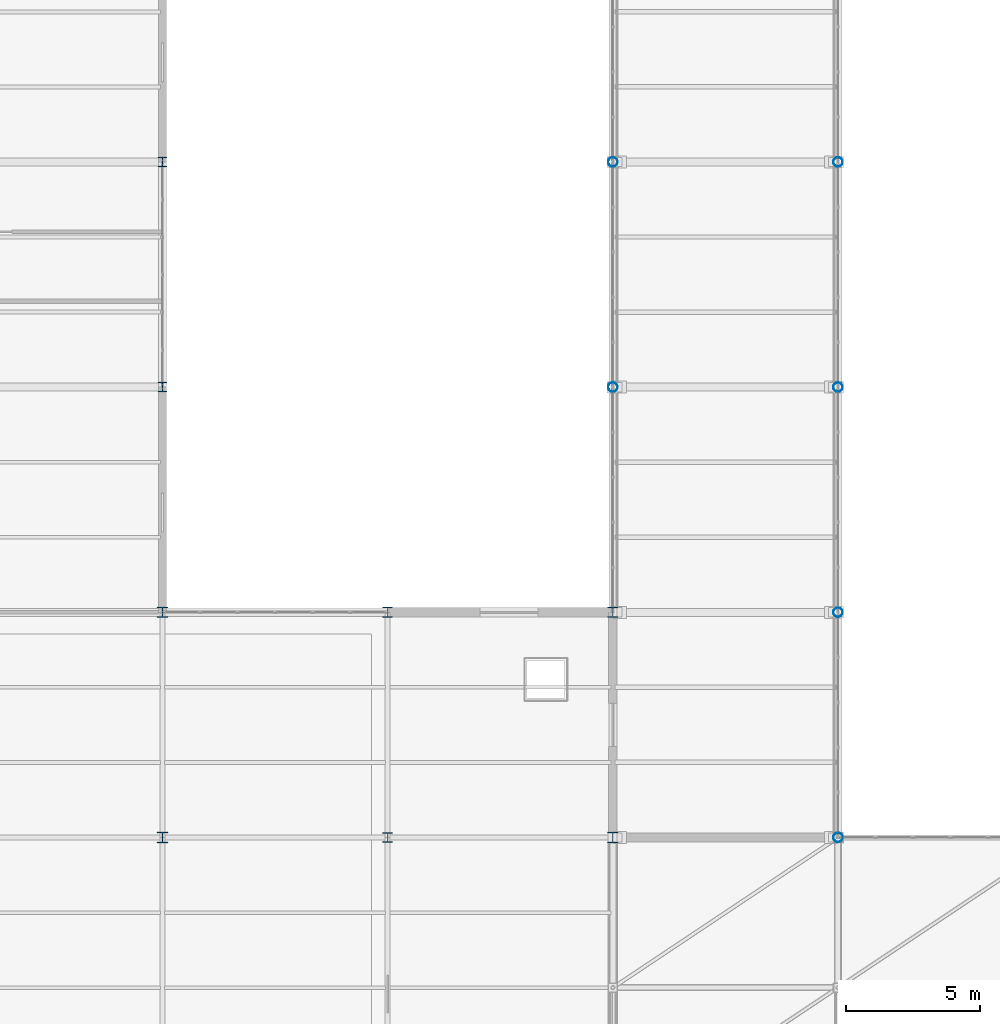
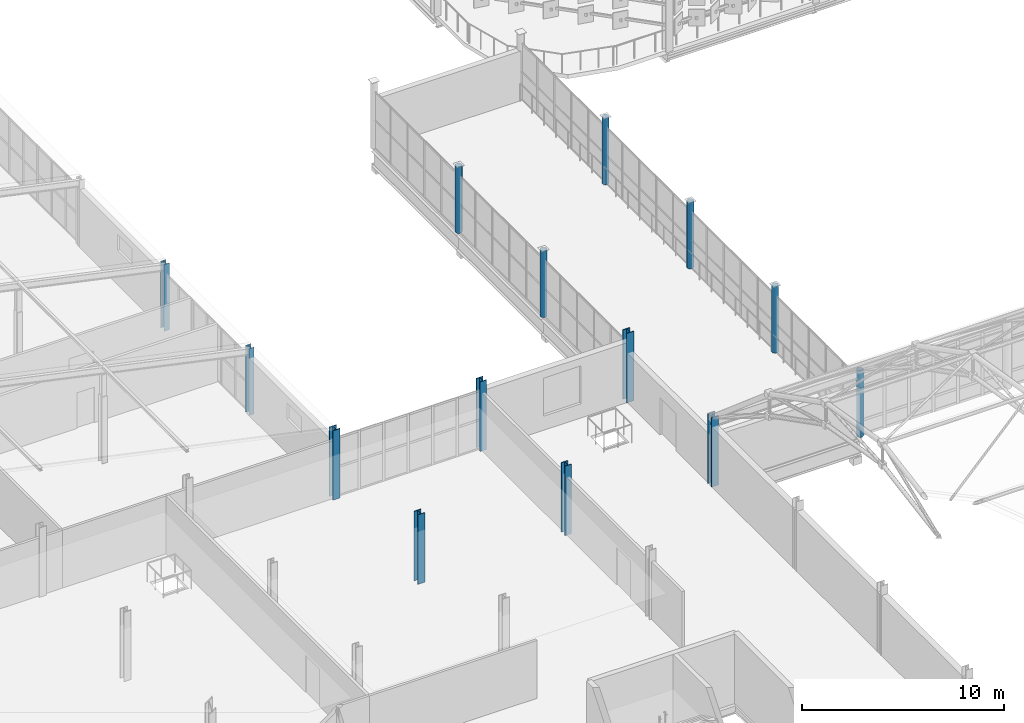
# One storey, part 4 of 184: 14 columns.
"""IFC4 building model written with IfcOpenShell, lengths in metres."""

from ifc_helpers import new_model, si_unit, direction, frame, origin, origin_2d, place, context, subcontext, project, spatial, hollow_circle, i_section, extrude, material, material_profile, profile_set, type_object, element, save


model = new_model("IFC4")

# Units and contexts
model_context = context("Model", 3, precision=1e-05, world=origin(), true_north=direction((0.0, 1.0)))
body_context = subcontext(model_context, "Body", "Model", "MODEL_VIEW")
ifc_project = project(units=[si_unit("LENGTHUNIT", "METRE"), si_unit("AREAUNIT", "SQUARE_METRE"), si_unit("VOLUMEUNIT", "CUBIC_METRE"), si_unit("PLANEANGLEUNIT", "RADIAN"), si_unit("MASSUNIT", "GRAM", prefix="KILO")], contexts=[model_context])

# Site, building, storey
site_placement = place(None, origin())
site = spatial("IfcSite", under=ifc_project, at=site_placement, CompositionType="ELEMENT")
building_placement = place(site_placement, origin())
building = spatial("IfcBuilding", under=site, at=building_placement, Name="Qalvenar Corner Mobility Hub", CompositionType="ELEMENT")
storey_placement = place(building_placement, frame((0.0, 0.0, 9.0)))
storey = spatial("IfcBuildingStorey", under=building, at=storey_placement, Name="L02", CompositionType="ELEMENT", Elevation=9.0)

# Columns
ifc_material = material(Name="Steel S355", Category="steel")
ifc_material_profile_1 = material_profile(ifc_material, hollow_circle(Radius=0.177734375, WallThickness=0.010009765625, at=origin_2d()), Name="CHS355.6x10")
ifc_profile_set_1 = profile_set([ifc_material_profile_1], Name="Steel S355")
column_type_1 = type_object("IfcColumnType", Name="COL-CHS355", PredefinedType="COLUMN", material=ifc_profile_set_1)
for number, where, z_axis, x_axis, name in (
    (1, (50.39990234375, 50.39990234375, 0.0), (0.0, 0.0, 1.0), (1.0, 0.0, 0.0), "Steel Column L02-G7-6"),
    (2, (50.39990234375, 58.800048828125, 0.0), (0.0, 0.0, 1.0), (1.0, 0.0, 0.0), "Steel Column L02-G7-7"),
    (3, (58.800048828125, 33.60009765625, 0.0), (0.0, 0.0, 1.0), (1.0, 0.0, 0.0), "Steel Column L02-G8-4"),
    (4, (58.800048828125, 42.0, 0.0), (0.0, 0.0, 1.0), (1.0, 0.0, 0.0), "Steel Column L02-G8-5"),
    (5, (58.800048828125, 50.39990234375, 0.0), (0.0, 0.0, 1.0), (1.0, 0.0, 0.0), "Steel Column L02-G8-6"),
    (6, (58.800048828125, 58.800048828125, 0.0), (0.0, 0.0, 1.0), (1.0, 0.0, 0.0), "Steel Column L02-G8-7"),
):
    element("IfcColumn", number, at=place(storey_placement, frame(where, z_axis=z_axis, x_axis=x_axis)), inside=storey, type_object=column_type_1, Name=name, PredefinedType="COLUMN", context=body_context, shape_type="SweptSolid", body=[
        extrude(hollow_circle(Radius=0.177734375, WallThickness=0.010009765625, at=origin_2d()), origin(), (0.0, 0.0, 1.0), 4.030029296875),
    ])
ifc_material_profile_2 = material_profile(ifc_material, i_section(OverallWidth=0.376953125, OverallDepth=0.386962890625, WebThickness=0.0224609375, FlangeThickness=0.035888671875, FilletRadius=0.014892578125, at=origin_2d()), Name="HD360x262")
ifc_profile_set_2 = profile_set([ifc_material_profile_2], Name="Steel S355")
column_type_2 = type_object("IfcColumnType", Name="COL-HD360X262", PredefinedType="COLUMN", material=ifc_profile_set_2)
for number, where, z_axis, x_axis, name in (
    (7, (42.0, 33.60009765625, 0.0), (0.0, 0.0, 1.0), (1.0, 0.0, 0.0), "Steel Column L02-G6-4"),
    (8, (42.0, 42.0, 0.0), (0.0, 0.0, 1.0), (1.0, 0.0, 0.0), "Steel Column L02-G6-5"),
):
    element("IfcColumn", number, at=place(storey_placement, frame(where, z_axis=z_axis, x_axis=x_axis)), inside=storey, type_object=column_type_2, Name=name, PredefinedType="COLUMN", context=body_context, shape_type="SweptSolid", body=[
        extrude(i_section(OverallWidth=0.376953125, OverallDepth=0.386962890625, WebThickness=0.0224609375, FlangeThickness=0.035888671875, FilletRadius=0.014892578125, at=origin_2d()), origin(), (0.0, 0.0, 1.0), 4.199951171875),
    ])
ifc_material_profile_3 = material_profile(ifc_material, i_section(OverallWidth=0.40087890625, OverallDepth=0.39892578125, WebThickness=0.02490234375, FlangeThickness=0.03955078125, FilletRadius=0.014892578125, at=origin_2d()), Name="HD400x314")
ifc_profile_set_3 = profile_set([ifc_material_profile_3], Name="Steel S355")
column_type_3 = type_object("IfcColumnType", Name="COL-HD400X314", PredefinedType="COLUMN", material=ifc_profile_set_3)
for number, where, z_axis, x_axis, name in (
    (9, (33.60009765625, 33.60009765625, 0.0), (0.0, 0.0, 1.0), (1.0, 0.0, 0.0), "Steel Column L02-G5-4"),
    (10, (33.60009765625, 42.0, 0.0), (0.0, 0.0, 1.0), (1.0, 0.0, 0.0), "Steel Column L02-G5-5"),
    (11, (50.39990234375, 33.60009765625, 0.0), (0.0, 0.0, 1.0), (1.0, 0.0, 0.0), "Steel Column L02-G7-4"),
    (12, (50.39990234375, 42.0, 0.0), (0.0, 0.0, 1.0), (1.0, 0.0, 0.0), "Steel Column L02-G7-5"),
):
    element("IfcColumn", number, at=place(storey_placement, frame(where, z_axis=z_axis, x_axis=x_axis)), inside=storey, type_object=column_type_3, Name=name, PredefinedType="COLUMN", context=body_context, shape_type="SweptSolid", body=[
        extrude(i_section(OverallWidth=0.40087890625, OverallDepth=0.39892578125, WebThickness=0.02490234375, FlangeThickness=0.03955078125, FilletRadius=0.014892578125, at=origin_2d()), origin(), (0.0, 0.0, 1.0), 4.199951171875),
    ])
ifc_material_profile_4 = material_profile(ifc_material, i_section(OverallWidth=0.300048828125, OverallDepth=0.360107421875, WebThickness=0.012451171875, FlangeThickness=0.0224609375, FilletRadius=0.027099609375, at=origin_2d()), Name="HEB360")
ifc_profile_set_4 = profile_set([ifc_material_profile_4], Name="Steel S355")
column_type_4 = type_object("IfcColumnType", Name="COL-HEB360", PredefinedType="COLUMN", material=ifc_profile_set_4)
for number, where, z_axis, x_axis, name in (
    (13, (33.60009765625, 50.39990234375, 0.0), (0.0, 0.0, 1.0), (1.0, 0.0, 0.0), "Steel Column L02-G5-6"),
    (14, (33.60009765625, 58.800048828125, 0.0), (0.0, 0.0, 1.0), (1.0, 0.0, 0.0), "Steel Column L02-G5-7"),
):
    element("IfcColumn", number, at=place(storey_placement, frame(where, z_axis=z_axis, x_axis=x_axis)), inside=storey, type_object=column_type_4, Name=name, PredefinedType="COLUMN", context=body_context, shape_type="SweptSolid", body=[
        extrude(i_section(OverallWidth=0.300048828125, OverallDepth=0.360107421875, WebThickness=0.012451171875, FlangeThickness=0.0224609375, FilletRadius=0.027099609375, at=origin_2d()), origin(), (0.0, 0.0, 1.0), 4.030029296875),
    ])

save(model, "model.ifc")
